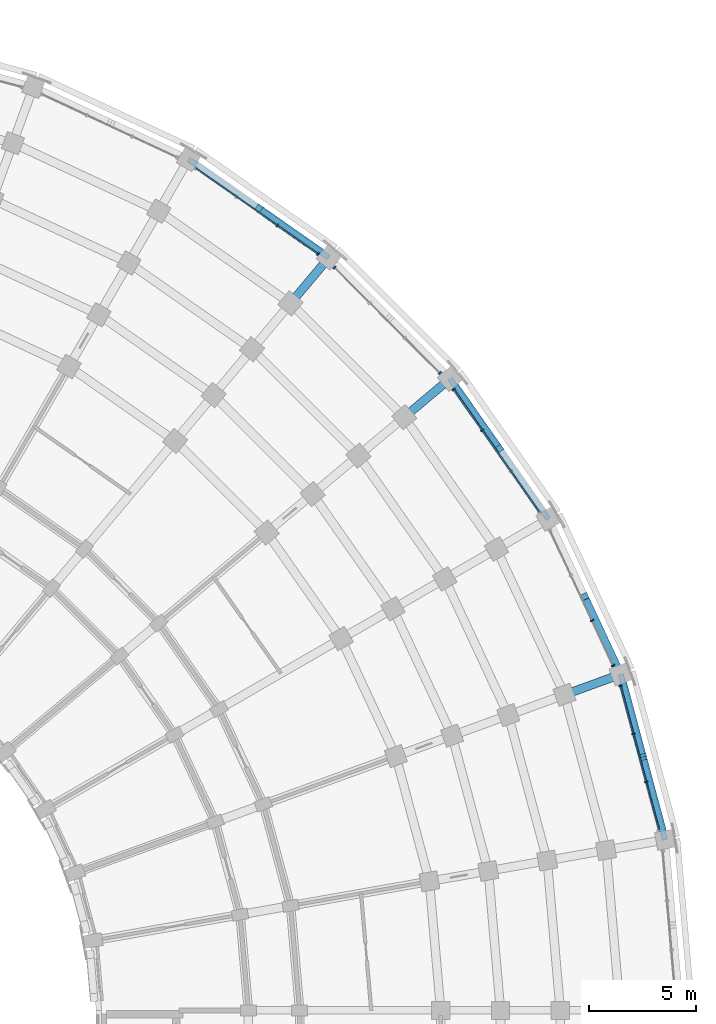
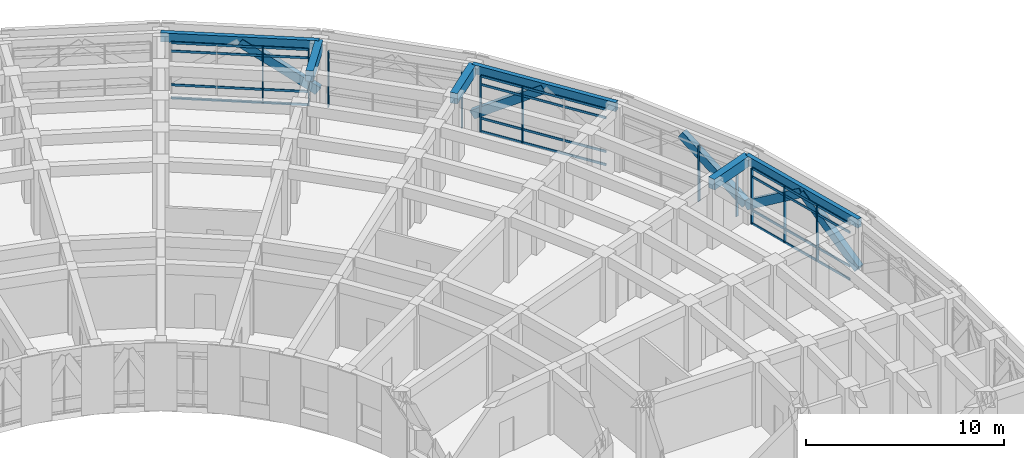
# One storey, part 36 of 97: 23 members, 11 beams, 5 elements without a shape of their own.
"""IFC4 building model written with IfcOpenShell, lengths in metres."""

from ifc_helpers import new_model, si_unit, direction, frame, origin, origin_2d, place, context, subcontext, project, spatial, rectangle, extrude, material, material_profile, profile_set, type_object, element, aggregate, save


model = new_model("IFC4")

# Units and contexts
model_context = context("Model", 3, precision=1e-05, world=origin(), true_north=direction((0.0, 1.0)))
body_context = subcontext(model_context, "Body", "Model", "MODEL_VIEW")
ifc_project = project(units=[si_unit("LENGTHUNIT", "METRE"), si_unit("AREAUNIT", "SQUARE_METRE"), si_unit("VOLUMEUNIT", "CUBIC_METRE"), si_unit("PLANEANGLEUNIT", "RADIAN"), si_unit("MASSUNIT", "GRAM", prefix="KILO")], contexts=[model_context])

# Site, building, storey
site_placement = place(None, origin())
site = spatial("IfcSite", under=ifc_project, at=site_placement, CompositionType="ELEMENT")
building_placement = place(site_placement, origin())
building = spatial("IfcBuilding", under=site, at=building_placement, Name="Kiranvali Square Residences", CompositionType="ELEMENT")
storey_placement = place(building_placement, frame((0.0, 0.0, 4.5)))
storey = spatial("IfcBuildingStorey", under=building, at=storey_placement, Name="L01", CompositionType="ELEMENT", Elevation=4.5)

# Beams
ifc_material_1 = material(Name="Concrete M40 (40 MPa)", Category="concrete")
ifc_material_profile_1 = material_profile(ifc_material_1, rectangle(XDim=0.35009765625, YDim=0.5, at=origin_2d()), Name="RC 350x500")
ifc_profile_set_1 = profile_set([ifc_material_profile_1], Name="Concrete M40 (40 MPa)")
beam_type_1 = type_object("IfcBeamType", Name="AR-M40-350x500", PredefinedType="USERDEFINED", material=ifc_profile_set_1)
for number, where, z_axis, x_axis, name in (
    (1, (146.084228515625, 125.337646484375, 3.64990234375), (0.67331827867, -0.471479533574, -0.569516940072), (0.573590313325, 0.819142327352, 0.0), "Classical pointed Ottoman arch rib ARCH-B-CRV-7-03.2"),
    (2, (155.06103515625, 117.33544921875, 0.89990234375), (0.471479533574, -0.67331827867, 0.569516940072), (0.819142327352, 0.573590313325, 0.0), "Classical pointed Ottoman arch rib ARCH-B-CRV-7-05.1"),
):
    element("IfcBeam", number, at=place(storey_placement, frame(where, z_axis=z_axis, x_axis=x_axis)), inside=storey, type_object=beam_type_1, Name=name, ObjectType="ARCH RIB", PredefinedType="USERDEFINED", context=body_context, shape_type="SweptSolid", body=[
        extrude(rectangle(XDim=0.35009765625, YDim=0.5, at=origin_2d()), origin(), (0.0, 0.0, 1.0), 4.82861328125),
    ])
for number, where, z_axis, x_axis, name in (
    (3, (161.33154296875, 107.16650390625, 3.64990234375), (0.347388768396, -0.744982317322, -0.56949309958), (0.906308808134, 0.422616071984, 0.0), "Classical pointed Ottoman arch rib ARCH-B-CRV-7-06.2"),
    (4, (163.0361328125, 103.494384765625, 0.89990234375), (0.212753144827, -0.793981793339, 0.56949891239), (0.965923890569, 0.2588262692, 0.0), "Classical pointed Ottoman arch rib ARCH-B-CRV-7-07.1"),
    (5, (164.0634765625, 99.660400390625, 3.64990234375), (0.212753144827, -0.793981793339, -0.56949891239), (0.965923890569, 0.2588262692, 0.0), "Classical pointed Ottoman arch rib ARCH-B-CRV-7-07.2"),
):
    element("IfcBeam", number, at=place(storey_placement, frame(where, z_axis=z_axis, x_axis=x_axis)), inside=storey, type_object=beam_type_1, Name=name, ObjectType="ARCH RIB", PredefinedType="USERDEFINED", context=body_context, shape_type="SweptSolid", body=[
        extrude(rectangle(XDim=0.35009765625, YDim=0.5, at=origin_2d()), origin(), (0.0, 0.0, 1.0), 4.828857421875),
    ])
ifc_material_2 = material(Name="Concrete M45 (45 MPa)", Category="concrete")
ifc_material_profile_2 = material_profile(ifc_material_2, rectangle(XDim=0.39990234375, YDim=0.64990234375, at=origin_2d()), Name="RC 400x650")
ifc_profile_set_2 = profile_set([ifc_material_profile_2], Name="Concrete M45 (45 MPa)")
beam_type_2 = type_object("IfcBeamType", Name="BM-M45-400x650", PredefinedType="BEAM", material=ifc_profile_set_2)
for number, where, z_axis, x_axis, name in (
    (6, (147.568359375, 120.89306640625, 3.655029296875), (0.642770757628, 0.766058583359, 0.0), (-0.766058583359, 0.642770757628, 0.0), "L01 beam BM-B-L01-RAD04-67"),
    (7, (152.89306640625, 115.568359375, 3.655029296875), (0.766058583359, 0.642770757628, 0.0), (-0.642770757628, 0.766058583359, 0.0), "L01 beam BM-B-L01-RAD05-67"),
    (8, (160.394775390625, 102.5751953125, 3.655029296875), (0.939678810556, 0.342058084236, 0.0), (-0.342058084236, 0.939678810556, 0.0), "L01 beam BM-B-L01-RAD07-67"),
):
    element("IfcBeam", number, at=place(storey_placement, frame(where, z_axis=z_axis, x_axis=x_axis)), inside=storey, type_object=beam_type_2, Name=name, PredefinedType="BEAM", context=body_context, shape_type="SweptSolid", body=[
        extrude(rectangle(XDim=0.39990234375, YDim=0.64990234375, at=origin_2d()), origin(), (0.0, 0.0, 1.0), 2.800048828125),
    ])

# Curtain wall, members
ifc_material_3 = material(Name="Anodised bronze aluminium framing", Category="aluminium")
curtain_wall_type = type_object("IfcCurtainWallType", Name="CW-RET-SHOP", PredefinedType="USERDEFINED", material=ifc_material_3)
curtain_wall_1_placement = place(storey_placement, origin())
curtain_wall_1 = element("IfcCurtainWall", 9, at=curtain_wall_1_placement, inside=storey, type_object=curtain_wall_type, Name="Block B L01 rounded-corner arcade curtain wall 4", ObjectType="CURTAIN WALL", PredefinedType="USERDEFINED")
ifc_material_profile_3 = material_profile(ifc_material_3, rectangle(XDim=0.06494140625, YDim=0.159912109375, at=origin_2d()), Name="ALU 65x160")
ifc_profile_set_3 = profile_set([ifc_material_profile_3], Name="Anodised bronze aluminium framing")
member_type_1 = type_object("IfcMemberType", Name="CW-MUL-160", PredefinedType="MULLION", material=ifc_profile_set_3)
member_1_placement = place(storey_placement, frame((146.95068359375, 124.547607421875, 0.02001953125), z_axis=(0.0, 0.0, 1.0), x_axis=(0.819152044289, -0.573576436351, 0.0)))
member_1 = element("IfcMember", 10, at=member_1_placement, type_object=member_type_1, Name="CW-B-L01-CRV-03 vertical mullion 3", PredefinedType="MULLION", context=body_context, shape_type="SweptSolid", body=[
    extrude(rectangle(XDim=0.06494140625, YDim=0.159912109375, at=origin_2d()), origin(), (0.0, 0.0, 1.0), 3.43994140625),
])
member_2_placement = place(storey_placement, frame((148.856201171875, 123.21337890625, 0.02001953125), z_axis=(0.0, 0.0, 1.0), x_axis=(0.819152044289, -0.573576436351, 0.0)))
member_2 = element("IfcMember", 11, at=member_2_placement, type_object=member_type_1, Name="CW-B-L01-CRV-03 vertical mullion 4", PredefinedType="MULLION", context=body_context, shape_type="SweptSolid", body=[
    extrude(rectangle(XDim=0.06494140625, YDim=0.159912109375, at=origin_2d()), origin(), (0.0, 0.0, 1.0), 3.43994140625),
])

curtain_wall_2_placement = place(storey_placement, origin())
curtain_wall_2 = element("IfcCurtainWall", 12, at=curtain_wall_2_placement, inside=storey, type_object=curtain_wall_type, Name="Block B L01 rounded-corner arcade curtain wall 5", ObjectType="CURTAIN WALL", PredefinedType="USERDEFINED")
member_3_placement = place(storey_placement, frame((149.6298828125, 122.564208984375, 0.02001953125), z_axis=(0.0, 0.0, 1.0), x_axis=(0.707106781187, -0.707106781187, 0.0)))
member_3 = element("IfcMember", 13, at=member_3_placement, type_object=member_type_1, Name="CW-B-L01-CRV-04 vertical mullion 1", PredefinedType="MULLION", context=body_context, shape_type="SweptSolid", body=[
    extrude(rectangle(XDim=0.06494140625, YDim=0.159912109375, at=origin_2d()), origin(), (0.0, 0.0, 1.0), 3.43994140625),
])
member_4_placement = place(storey_placement, frame((154.564208984375, 117.6298828125, 0.02001953125), z_axis=(0.0, 0.0, 1.0), x_axis=(0.707106781187, -0.707106781187, 0.0)))
member_4 = element("IfcMember", 14, at=member_4_placement, type_object=member_type_1, Name="CW-B-L01-CRV-04 vertical mullion 4", PredefinedType="MULLION", context=body_context, shape_type="SweptSolid", body=[
    extrude(rectangle(XDim=0.06494140625, YDim=0.159912109375, at=origin_2d()), origin(), (0.0, 0.0, 1.0), 3.43994140625),
])
aggregate(curtain_wall_2, [member_3, member_4])

curtain_wall_3_placement = place(storey_placement, origin())
curtain_wall_3 = element("IfcCurtainWall", 15, at=curtain_wall_3_placement, inside=storey, type_object=curtain_wall_type, Name="Block B L01 rounded-corner arcade curtain wall 6", ObjectType="CURTAIN WALL", PredefinedType="USERDEFINED")
member_5_placement = place(storey_placement, frame((155.21337890625, 116.856201171875, 0.02001953125), z_axis=(0.0, 0.0, 1.0), x_axis=(0.573576436351, -0.819152044289, 0.0)))
member_5 = element("IfcMember", 16, at=member_5_placement, type_object=member_type_1, Name="CW-B-L01-CRV-05 vertical mullion 1", PredefinedType="MULLION", context=body_context, shape_type="SweptSolid", body=[
    extrude(rectangle(XDim=0.06494140625, YDim=0.159912109375, at=origin_2d()), origin(), (0.0, 0.0, 1.0), 3.43994140625),
])
member_6_placement = place(storey_placement, frame((156.547607421875, 114.95068359375, 0.02001953125), z_axis=(0.0, 0.0, 1.0), x_axis=(0.573576436351, -0.819152044289, 0.0)))
member_6 = element("IfcMember", 17, at=member_6_placement, type_object=member_type_1, Name="CW-B-L01-CRV-05 vertical mullion 2", PredefinedType="MULLION", context=body_context, shape_type="SweptSolid", body=[
    extrude(rectangle(XDim=0.06494140625, YDim=0.159912109375, at=origin_2d()), origin(), (0.0, 0.0, 1.0), 3.43994140625),
])

curtain_wall_4_placement = place(storey_placement, origin())
curtain_wall_4 = element("IfcCurtainWall", 18, at=curtain_wall_4_placement, inside=storey, type_object=curtain_wall_type, Name="Block B L01 rounded-corner arcade curtain wall 7", ObjectType="CURTAIN WALL", PredefinedType="USERDEFINED")
member_7_placement = place(storey_placement, frame((161.68701171875, 106.049072265625, 0.02001953125), z_axis=(0.0, 0.0, 1.0), x_axis=(0.422618261741, -0.906307787037, 0.0)))
member_7 = element("IfcMember", 19, at=member_7_placement, type_object=member_type_1, Name="CW-B-L01-CRV-06 vertical mullion 3", PredefinedType="MULLION", context=body_context, shape_type="SweptSolid", body=[
    extrude(rectangle(XDim=0.06494140625, YDim=0.159912109375, at=origin_2d()), origin(), (0.0, 0.0, 1.0), 3.43994140625),
])
member_8_placement = place(storey_placement, frame((162.670166015625, 103.94091796875, 0.02001953125), z_axis=(0.0, 0.0, 1.0), x_axis=(0.422618261741, -0.906307787037, 0.0)))
member_8 = element("IfcMember", 20, at=member_8_placement, type_object=member_type_1, Name="CW-B-L01-CRV-06 vertical mullion 4", PredefinedType="MULLION", context=body_context, shape_type="SweptSolid", body=[
    extrude(rectangle(XDim=0.06494140625, YDim=0.159912109375, at=origin_2d()), origin(), (0.0, 0.0, 1.0), 3.43994140625),
])
aggregate(curtain_wall_4, [member_7, member_8])

curtain_wall_5_placement = place(storey_placement, origin())
curtain_wall_5 = element("IfcCurtainWall", 21, at=curtain_wall_5_placement, inside=storey, type_object=curtain_wall_type, Name="Block B L01 rounded-corner arcade curtain wall 8", ObjectType="CURTAIN WALL", PredefinedType="USERDEFINED")
member_9_placement = place(storey_placement, frame((163.015625, 102.99169921875, 0.02001953125), z_axis=(0.0, 0.0, 1.0), x_axis=(0.258819045103, -0.965925826289, 0.0)))
member_9 = element("IfcMember", 22, at=member_9_placement, type_object=member_type_1, Name="CW-B-L01-CRV-07 vertical mullion 1", PredefinedType="MULLION", context=body_context, shape_type="SweptSolid", body=[
    extrude(rectangle(XDim=0.06494140625, YDim=0.159912109375, at=origin_2d()), origin(), (0.0, 0.0, 1.0), 3.43994140625),
])
member_10_placement = place(storey_placement, frame((163.61767578125, 100.744873046875, 0.02001953125), z_axis=(0.0, 0.0, 1.0), x_axis=(0.258819045103, -0.965925826289, 0.0)))
member_10 = element("IfcMember", 23, at=member_10_placement, type_object=member_type_1, Name="CW-B-L01-CRV-07 vertical mullion 2", PredefinedType="MULLION", context=body_context, shape_type="SweptSolid", body=[
    extrude(rectangle(XDim=0.06494140625, YDim=0.159912109375, at=origin_2d()), origin(), (0.0, 0.0, 1.0), 3.43994140625),
])
member_11_placement = place(storey_placement, frame((164.2197265625, 98.498046875, 0.02001953125), z_axis=(0.0, 0.0, 1.0), x_axis=(0.258819045103, -0.965925826289, 0.0)))
member_11 = element("IfcMember", 24, at=member_11_placement, type_object=member_type_1, Name="CW-B-L01-CRV-07 vertical mullion 3", PredefinedType="MULLION", context=body_context, shape_type="SweptSolid", body=[
    extrude(rectangle(XDim=0.06494140625, YDim=0.159912109375, at=origin_2d()), origin(), (0.0, 0.0, 1.0), 3.43994140625),
])

# Member
ifc_material_profile_4 = material_profile(ifc_material_3, rectangle(XDim=0.06494140625, YDim=0.139892578125, at=origin_2d()), Name="ALU 65x140")
ifc_profile_set_4 = profile_set([ifc_material_profile_4], Name="Anodised bronze aluminium framing")
member_type_2 = type_object("IfcMemberType", Name="CW-TRN-140", PredefinedType="MULLION", material=ifc_profile_set_4)
member_12_placement = place(storey_placement, frame((143.148193359375, 127.210205078125, 0.0400390625), z_axis=(0.819164332124, -0.573558887104, 0.0), x_axis=(0.573558887104, 0.819164332124, 0.0)))
member_12 = element("IfcMember", 25, at=member_12_placement, type_object=member_type_2, Name="CW-B-L01-CRV-03 horizontal transom 1", PredefinedType="MULLION", context=body_context, shape_type="SweptSolid", body=[
    extrude(rectangle(XDim=0.06494140625, YDim=0.139892578125, at=origin_2d()), origin(), (0.0, 0.0, 1.0), 6.958251953125),
])

member_13_placement = place(storey_placement, frame((143.148193359375, 127.210205078125, 0.85009765625), z_axis=(0.819164332124, -0.573558887104, 0.0), x_axis=(0.573558887104, 0.819164332124, 0.0)))
member_13 = element("IfcMember", 26, at=member_13_placement, type_object=member_type_2, Name="CW-B-L01-CRV-03 horizontal transom 2", PredefinedType="MULLION", context=body_context, shape_type="SweptSolid", body=[
    extrude(rectangle(XDim=0.06494140625, YDim=0.139892578125, at=origin_2d()), origin(), (0.0, 0.0, 1.0), 6.958251953125),
])

member_14_placement = place(storey_placement, frame((143.148193359375, 127.210205078125, 2.929931640625), z_axis=(0.819164332124, -0.573558887104, 0.0), x_axis=(0.573558887104, 0.819164332124, 0.0)))
member_14 = element("IfcMember", 27, at=member_14_placement, type_object=member_type_2, Name="CW-B-L01-CRV-03 horizontal transom 3", PredefinedType="MULLION", context=body_context, shape_type="SweptSolid", body=[
    extrude(rectangle(XDim=0.06494140625, YDim=0.139892578125, at=origin_2d()), origin(), (0.0, 0.0, 1.0), 6.958251953125),
])

member_15_placement = place(storey_placement, frame((143.148193359375, 127.210205078125, 3.43994140625), z_axis=(0.819164332124, -0.573558887104, 0.0), x_axis=(0.573558887104, 0.819164332124, 0.0)))
member_15 = element("IfcMember", 28, at=member_15_placement, type_object=member_type_2, Name="CW-B-L01-CRV-03 horizontal transom 4", PredefinedType="MULLION", context=body_context, shape_type="SweptSolid", body=[
    extrude(rectangle(XDim=0.06494140625, YDim=0.139892578125, at=origin_2d()), origin(), (0.0, 0.0, 1.0), 6.958251953125),
])

aggregate(curtain_wall_1, [member_1, member_2, member_12, member_13, member_14, member_15])

member_16_placement = place(storey_placement, frame((155.21923828125, 116.84814453125, 0.0400390625), z_axis=(0.573558887104, -0.819164332124, 0.0), x_axis=(0.819164332124, 0.573558887104, 0.0)))
member_16 = element("IfcMember", 29, at=member_16_placement, type_object=member_type_2, Name="CW-B-L01-CRV-05 horizontal transom 1", PredefinedType="MULLION", context=body_context, shape_type="SweptSolid", body=[
    extrude(rectangle(XDim=0.06494140625, YDim=0.139892578125, at=origin_2d()), origin(), (0.0, 0.0, 1.0), 6.958251953125),
])

member_17_placement = place(storey_placement, frame((155.21923828125, 116.84814453125, 0.85009765625), z_axis=(0.573558887104, -0.819164332124, 0.0), x_axis=(0.819164332124, 0.573558887104, 0.0)))
member_17 = element("IfcMember", 30, at=member_17_placement, type_object=member_type_2, Name="CW-B-L01-CRV-05 horizontal transom 2", PredefinedType="MULLION", context=body_context, shape_type="SweptSolid", body=[
    extrude(rectangle(XDim=0.06494140625, YDim=0.139892578125, at=origin_2d()), origin(), (0.0, 0.0, 1.0), 6.958251953125),
])

member_18_placement = place(storey_placement, frame((155.21923828125, 116.84814453125, 2.929931640625), z_axis=(0.573558887104, -0.819164332124, 0.0), x_axis=(0.819164332124, 0.573558887104, 0.0)))
member_18 = element("IfcMember", 31, at=member_18_placement, type_object=member_type_2, Name="CW-B-L01-CRV-05 horizontal transom 3", PredefinedType="MULLION", context=body_context, shape_type="SweptSolid", body=[
    extrude(rectangle(XDim=0.06494140625, YDim=0.139892578125, at=origin_2d()), origin(), (0.0, 0.0, 1.0), 6.958251953125),
])

member_19_placement = place(storey_placement, frame((155.21923828125, 116.84814453125, 3.43994140625), z_axis=(0.573558887104, -0.819164332124, 0.0), x_axis=(0.819164332124, 0.573558887104, 0.0)))
member_19 = element("IfcMember", 32, at=member_19_placement, type_object=member_type_2, Name="CW-B-L01-CRV-05 horizontal transom 4", PredefinedType="MULLION", context=body_context, shape_type="SweptSolid", body=[
    extrude(rectangle(XDim=0.06494140625, YDim=0.139892578125, at=origin_2d()), origin(), (0.0, 0.0, 1.0), 6.958251953125),
])

aggregate(curtain_wall_3, [member_5, member_6, member_16, member_17, member_18, member_19])

member_20_placement = place(storey_placement, frame((163.01806640625, 102.982177734375, 0.0400390625), z_axis=(0.258830788495, -0.96592267958, 0.0), x_axis=(0.96592267958, 0.258830788495, 0.0)))
member_20 = element("IfcMember", 33, at=member_20_placement, type_object=member_type_2, Name="CW-B-L01-CRV-07 horizontal transom 1", PredefinedType="MULLION", context=body_context, shape_type="SweptSolid", body=[
    extrude(rectangle(XDim=0.06494140625, YDim=0.139892578125, at=origin_2d()), origin(), (0.0, 0.0, 1.0), 6.958251953125),
])

member_21_placement = place(storey_placement, frame((163.01806640625, 102.982177734375, 0.85009765625), z_axis=(0.258830788495, -0.96592267958, 0.0), x_axis=(0.96592267958, 0.258830788495, 0.0)))
member_21 = element("IfcMember", 34, at=member_21_placement, type_object=member_type_2, Name="CW-B-L01-CRV-07 horizontal transom 2", PredefinedType="MULLION", context=body_context, shape_type="SweptSolid", body=[
    extrude(rectangle(XDim=0.06494140625, YDim=0.139892578125, at=origin_2d()), origin(), (0.0, 0.0, 1.0), 6.958251953125),
])

member_22_placement = place(storey_placement, frame((163.01806640625, 102.982177734375, 2.929931640625), z_axis=(0.258830788495, -0.96592267958, 0.0), x_axis=(0.96592267958, 0.258830788495, 0.0)))
member_22 = element("IfcMember", 35, at=member_22_placement, type_object=member_type_2, Name="CW-B-L01-CRV-07 horizontal transom 3", PredefinedType="MULLION", context=body_context, shape_type="SweptSolid", body=[
    extrude(rectangle(XDim=0.06494140625, YDim=0.139892578125, at=origin_2d()), origin(), (0.0, 0.0, 1.0), 6.958251953125),
])

member_23_placement = place(storey_placement, frame((163.01806640625, 102.982177734375, 3.43994140625), z_axis=(0.258830788495, -0.96592267958, 0.0), x_axis=(0.96592267958, 0.258830788495, 0.0)))
member_23 = element("IfcMember", 36, at=member_23_placement, type_object=member_type_2, Name="CW-B-L01-CRV-07 horizontal transom 4", PredefinedType="MULLION", context=body_context, shape_type="SweptSolid", body=[
    extrude(rectangle(XDim=0.06494140625, YDim=0.139892578125, at=origin_2d()), origin(), (0.0, 0.0, 1.0), 6.958251953125),
])

aggregate(curtain_wall_5, [member_9, member_10, member_11, member_20, member_21, member_22, member_23])

# Beams
ifc_material_profile_5 = material_profile(ifc_material_1, rectangle(XDim=0.25, YDim=0.550048828125, at=origin_2d()), Name="RC 250x550")
ifc_profile_set_5 = profile_set([ifc_material_profile_5], Name="Concrete M40 (40 MPa)")
beam_type_3 = type_object("IfcBeamType", Name="SPN-M40-250x550", PredefinedType="SPANDREL", material=ifc_profile_set_5)
for number, where, z_axis, x_axis, name in (
    (37, (142.800048828125, 127.63720703125, 3.705078125), (0.819147515001, -0.573582904791, 0.0), (0.573582904791, 0.819147515001, 0.0), "L01 beam BM-B-L01-C03-R7"),
    (38, (155.0380859375, 117.3681640625, 3.705078125), (0.573582904791, -0.819147515001, 0.0), (0.819147515001, 0.573582904791, 0.0), "L01 beam BM-B-L01-C05-R7"),
    (39, (163.02587890625, 103.532958984375, 3.705078125), (0.258807108475, -0.96592902462, 0.0), (0.96592902462, 0.258807108475, 0.0), "L01 beam BM-B-L01-C07-R7"),
):
    element("IfcBeam", number, at=place(storey_placement, frame(where, z_axis=z_axis, x_axis=x_axis)), inside=storey, type_object=beam_type_3, Name=name, PredefinedType="SPANDREL", context=body_context, shape_type="SweptSolid", body=[
        extrude(rectangle(XDim=0.25, YDim=0.550048828125, at=origin_2d()), origin(), (0.0, 0.0, 1.0), 8.018310546875),
    ])

save(model, "model.ifc")
